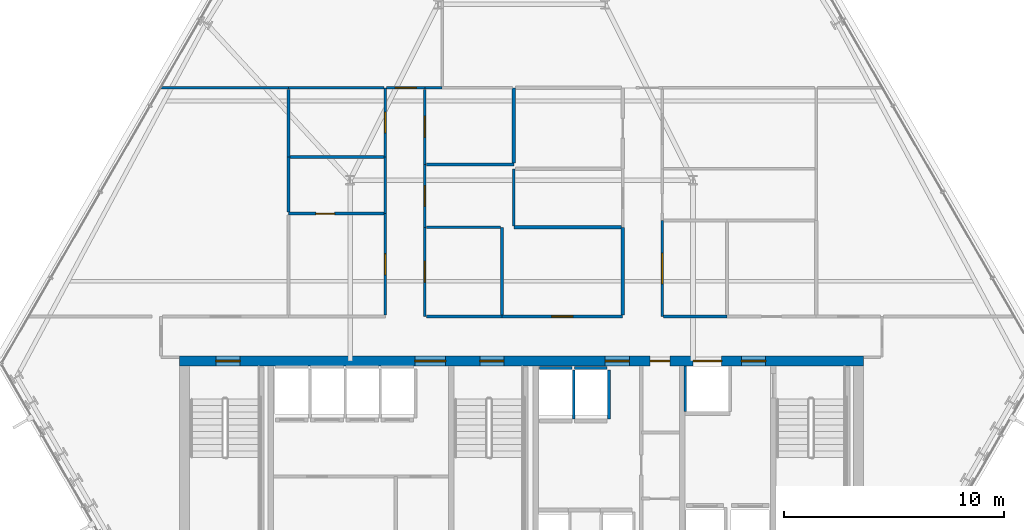
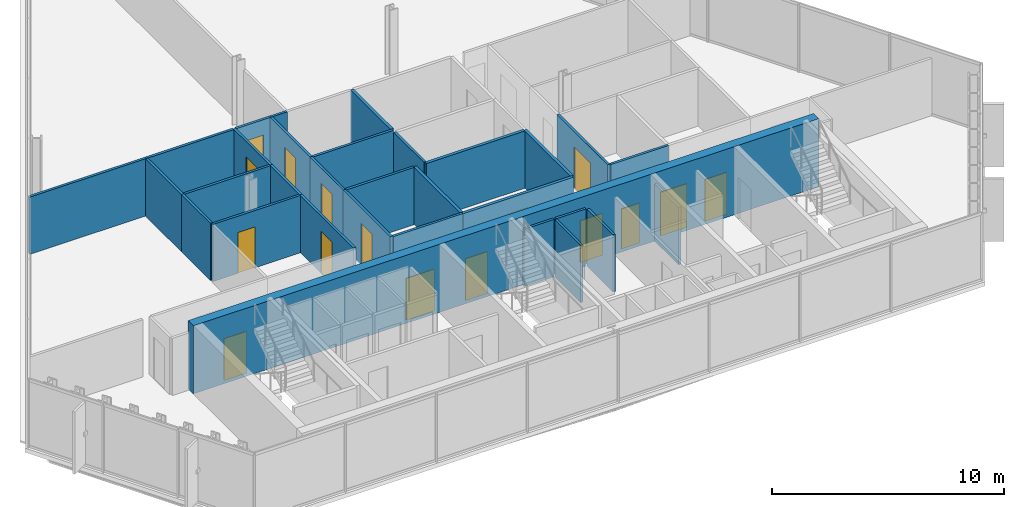
# One storey, part 27 of 33: 31 walls, 16 doors, 16 openings.
"""IFC4 building model written with IfcOpenShell, lengths in metres."""

from ifc_helpers import new_model, si_unit, direction, frame, frame_2d, origin, place, context, subcontext, project, spatial, rectangle, extrude, material, layer, layer_set, type_object, element, fill, save


model = new_model("IFC4")

# Units and contexts
model_context = context("Model", 3, precision=1e-05, world=origin(), true_north=direction((0.0, 1.0)))
body_context = subcontext(model_context, "Body", "Model", "MODEL_VIEW")
ifc_project = project(units=[si_unit("LENGTHUNIT", "METRE"), si_unit("AREAUNIT", "SQUARE_METRE"), si_unit("VOLUMEUNIT", "CUBIC_METRE"), si_unit("PLANEANGLEUNIT", "RADIAN"), si_unit("MASSUNIT", "GRAM", prefix="KILO")], contexts=[model_context])

# Site, building, storey
site_placement = place(None, origin())
site = spatial("IfcSite", under=ifc_project, at=site_placement, CompositionType="ELEMENT")
building_placement = place(site_placement, origin())
building = spatial("IfcBuilding", under=site, at=building_placement, Name="Ndaravel Arena Tower", CompositionType="ELEMENT")
storey_placement = place(building_placement, frame((0.0, 0.0, 149.800048828125)))
storey = spatial("IfcBuildingStorey", under=building, at=storey_placement, Name="L35", CompositionType="ELEMENT", Elevation=149.800048828125)

# Wall, openings, doors
ifc_material_1 = material(Name="Concrete C60/75", Category="concrete")
ifc_layer_1 = layer(ifc_material_1, 0.449951171875)
ifc_layer_set_1 = layer_set([ifc_layer_1], Name="Concrete C60/75")
wall_type_1 = type_object("IfcWallType", Name="WALL-CORE-450", PredefinedType="SOLIDWALL", material=ifc_layer_set_1)
wall_1_placement = place(storey_placement, frame((26.449951171875, 14.97509765625, 0.0), z_axis=(0.0, 0.0, 1.0), x_axis=(1.0, 0.0, 0.0)))
wall_1 = element("IfcWall", 1, at=wall_1_placement, inside=storey, type_object=wall_type_1, Name="L35 Core North Shear Wall", PredefinedType="SOLIDWALL", context=body_context, shape_type="SweptSolid", body=[
    extrude(rectangle(XDim=31.10009765625, YDim=0.449951171875, at=frame_2d((15.550048828125, 0.0))), origin(), (0.0, 0.0, 1.0), 3.579833984375),
])
opening_1_placement = place(wall_1_placement, frame((1.64990234375, 0.0, 0.0)))
opening_1 = element("IfcOpeningElement", 2, at=opening_1_placement, cuts=wall_1, Name="Opening FD-01", PredefinedType="OPENING", context=body_context, shape_type="SweptSolid", body=[
    extrude(rectangle(XDim=1.10009765625, YDim=2.199951171875, at=frame_2d((0.550048828125, 1.10009765625))), frame((0.0, 0.22509765625, 0.0), z_axis=(0.0, -1.0, 0.0), x_axis=(1.0, 0.0, 0.0)), (0.0, 0.0, 1.0), 0.449951171875),
])
opening_2_placement = place(wall_1_placement, frame((13.64990234375, 0.0, 0.0)))
opening_2 = element("IfcOpeningElement", 3, at=opening_2_placement, cuts=wall_1, Name="Opening FD-01", PredefinedType="OPENING", context=body_context, shape_type="SweptSolid", body=[
    extrude(rectangle(XDim=1.10009765625, YDim=2.199951171875, at=frame_2d((0.550048828125, 1.10009765625))), frame((0.0, 0.22509765625, 0.0), z_axis=(0.0, -1.0, 0.0), x_axis=(1.0, 0.0, 0.0)), (0.0, 0.0, 1.0), 0.449951171875),
])
opening_3_placement = place(wall_1_placement, frame((25.550048828125, 0.0, 0.0)))
opening_3 = element("IfcOpeningElement", 4, at=opening_3_placement, cuts=wall_1, Name="Opening FD-01", PredefinedType="OPENING", context=body_context, shape_type="SweptSolid", body=[
    extrude(rectangle(XDim=1.10009765625, YDim=2.199951171875, at=frame_2d((0.550048828125, 1.10009765625))), frame((0.0, 0.22509765625, 0.0), z_axis=(0.0, -1.0, 0.0), x_axis=(1.0, 0.0, 0.0)), (0.0, 0.0, 1.0), 0.449951171875),
])
opening_4_placement = place(wall_1_placement, frame((10.699951171875, 0.0, 0.0)))
opening_4 = element("IfcOpeningElement", 5, at=opening_4_placement, cuts=wall_1, Name="Opening ID-02", PredefinedType="OPENING", context=body_context, shape_type="SweptSolid", body=[
    extrude(rectangle(XDim=1.39990234375, YDim=2.199951171875, at=frame_2d((0.699951171875, 1.10009765625))), frame((0.0, 0.22509765625, 0.0), z_axis=(0.0, -1.0, 0.0), x_axis=(1.0, 0.0, 0.0)), (0.0, 0.0, 1.0), 0.449951171875),
])
opening_5_placement = place(wall_1_placement, frame((19.35009765625, 0.0, 0.0)))
opening_5 = element("IfcOpeningElement", 6, at=opening_5_placement, cuts=wall_1, Name="Opening FD-01", PredefinedType="OPENING", context=body_context, shape_type="SweptSolid", body=[
    extrude(rectangle(XDim=1.10009765625, YDim=2.199951171875, at=frame_2d((0.550048828125, 1.10009765625))), frame((0.0, 0.22509765625, 0.0), z_axis=(0.0, -1.0, 0.0), x_axis=(1.0, 0.0, 0.0)), (0.0, 0.0, 1.0), 0.449951171875),
])
opening_6_placement = place(wall_1_placement, frame((21.39990234375, 0.0, 0.0)))
opening_6 = element("IfcOpeningElement", 7, at=opening_6_placement, cuts=wall_1, Name="Opening RD-01", PredefinedType="OPENING", context=body_context, shape_type="SweptSolid", body=[
    extrude(rectangle(XDim=0.89990234375, YDim=2.10009765625, at=frame_2d((0.449951171875, 1.050048828125))), frame((0.0, 0.22509765625, 0.0), z_axis=(0.0, -1.0, 0.0), x_axis=(1.0, 0.0, 0.0)), (0.0, 0.0, 1.0), 0.449951171875),
])
opening_7_placement = place(wall_1_placement, frame((23.35009765625, 0.0, 0.0)))
opening_7 = element("IfcOpeningElement", 8, at=opening_7_placement, cuts=wall_1, Name="Opening LD-02", PredefinedType="OPENING", context=body_context, shape_type="SweptSolid", body=[
    extrude(rectangle(XDim=1.300048828125, YDim=2.300048828125, at=frame_2d((0.64990234375, 1.14990234375))), frame((0.0, 0.22509765625, 0.0), z_axis=(0.0, -1.0, 0.0), x_axis=(1.0, 0.0, 0.0)), (0.0, 0.0, 1.0), 0.449951171875),
])
ifc_material_2 = material(Name="Steel S355", Category="steel")
door_type_1 = type_object("IfcDoorType", Name="DT-01-STAIR-1100", OperationType="SINGLE_SWING_LEFT", PredefinedType="DOOR", material=ifc_material_2)
door_1_placement = place(opening_1_placement, origin())
door_1 = element("IfcDoor", 9, at=door_1_placement, inside=storey, type_object=door_type_1, Name="L35 Exit Stair ST-1 Door", OperationType="SINGLE_SWING_RIGHT", OverallHeight=2.199951171875, OverallWidth=1.10009765625, PredefinedType="DOOR", context=body_context, shape_type="SweptSolid", body=[
    extrude(rectangle(XDim=1.10009765625, YDim=2.199951171875, at=frame_2d((0.550048828125, 1.10009765625))), frame((0.0, 0.02490234375, 0.0), z_axis=(0.0, -1.0, 0.0), x_axis=(1.0, 0.0, 0.0)), (0.0, 0.0, 1.0), 0.050048828125),
])
fill(opening_1, door_1)
door_2_placement = place(opening_2_placement, origin())
door_2 = element("IfcDoor", 10, at=door_2_placement, inside=storey, type_object=door_type_1, Name="L35 Exit Stair ST-2 Door", OperationType="SINGLE_SWING_LEFT", OverallHeight=2.199951171875, OverallWidth=1.10009765625, PredefinedType="DOOR", context=body_context, shape_type="SweptSolid", body=[
    extrude(rectangle(XDim=1.10009765625, YDim=2.199951171875, at=frame_2d((0.550048828125, 1.10009765625))), frame((0.0, 0.02490234375, 0.0), z_axis=(0.0, -1.0, 0.0), x_axis=(1.0, 0.0, 0.0)), (0.0, 0.0, 1.0), 0.050048828125),
])
fill(opening_2, door_2)
door_3_placement = place(opening_3_placement, origin())
door_3 = element("IfcDoor", 11, at=door_3_placement, inside=storey, type_object=door_type_1, Name="L35 Firefighting Lift Lobby Door", OperationType="SINGLE_SWING_RIGHT", OverallHeight=2.199951171875, OverallWidth=1.10009765625, PredefinedType="DOOR", context=body_context, shape_type="SweptSolid", body=[
    extrude(rectangle(XDim=1.10009765625, YDim=2.199951171875, at=frame_2d((0.550048828125, 1.10009765625))), frame((0.0, 0.02490234375, 0.0), z_axis=(0.0, -1.0, 0.0), x_axis=(1.0, 0.0, 0.0)), (0.0, 0.0, 1.0), 0.050048828125),
])
fill(opening_3, door_3)
door_4_placement = place(opening_5_placement, origin())
door_4 = element("IfcDoor", 12, at=door_4_placement, inside=storey, type_object=door_type_1, Name="L35 Express Lift Lobby Entry Door", OperationType="SINGLE_SWING_LEFT", OverallHeight=2.199951171875, OverallWidth=1.10009765625, PredefinedType="DOOR", context=body_context, shape_type="SweptSolid", body=[
    extrude(rectangle(XDim=1.10009765625, YDim=2.199951171875, at=frame_2d((0.550048828125, 1.10009765625))), frame((0.0, 0.02490234375, 0.0), z_axis=(0.0, -1.0, 0.0), x_axis=(1.0, 0.0, 0.0)), (0.0, 0.0, 1.0), 0.050048828125),
])
fill(opening_5, door_4)
ifc_material_3 = material(Name="Timber", Category="wood")
door_type_2 = type_object("IfcDoorType", Name="DT-04-SUITE-1400", OperationType="DOUBLE_DOOR_SINGLE_SWING", PredefinedType="DOOR", material=ifc_material_3)
door_5_placement = place(opening_4_placement, origin())
door_5 = element("IfcDoor", 13, at=door_5_placement, inside=storey, type_object=door_type_2, Name="L35 West Lift Lobby Entry Door", OperationType="DOUBLE_DOOR_SINGLE_SWING", OverallHeight=2.199951171875, OverallWidth=1.39990234375, PredefinedType="DOOR", context=body_context, shape_type="SweptSolid", body=[
    extrude(rectangle(XDim=1.39990234375, YDim=2.199951171875, at=frame_2d((0.699951171875, 1.10009765625))), frame((0.0, 0.02490234375, 0.0), z_axis=(0.0, -1.0, 0.0), x_axis=(1.0, 0.0, 0.0)), (0.0, 0.0, 1.0), 0.050048828125),
])
fill(opening_4, door_5)
ifc_material_4 = material(Name="Steel S355", Category="steel")
door_type_3 = type_object("IfcDoorType", Name="DT-07-SVLIFT-1300", OperationType="DOUBLE_DOOR_SLIDING", PredefinedType="DOOR", material=ifc_material_4)
door_6_placement = place(opening_7_placement, origin())
door_6 = element("IfcDoor", 14, at=door_6_placement, inside=storey, type_object=door_type_3, Name="L35 Lift SVL-1 Sliding Landing Door", OperationType="DOUBLE_DOOR_SLIDING", OverallHeight=2.300048828125, OverallWidth=1.300048828125, PredefinedType="DOOR", context=body_context, shape_type="SweptSolid", body=[
    extrude(rectangle(XDim=1.300048828125, YDim=2.300048828125, at=frame_2d((0.64990234375, 1.14990234375))), frame((0.0, 0.02490234375, 0.0), z_axis=(0.0, -1.0, 0.0), x_axis=(1.0, 0.0, 0.0)), (0.0, 0.0, 1.0), 0.050048828125),
])
fill(opening_7, door_6)
ifc_material_5 = material(Name="Steel S355", Category="steel")
door_type_4 = type_object("IfcDoorType", Name="DT-08-RISER-900", OperationType="SINGLE_SWING_LEFT", PredefinedType="DOOR", material=ifc_material_5)
door_7_placement = place(opening_6_placement, origin())
door_7 = element("IfcDoor", 15, at=door_7_placement, inside=storey, type_object=door_type_4, Name="L35 Core Service Riser North Door", OperationType="SINGLE_SWING_LEFT", OverallHeight=2.10009765625, OverallWidth=0.89990234375, PredefinedType="DOOR", context=body_context, shape_type="SweptSolid", body=[
    extrude(rectangle(XDim=0.89990234375, YDim=2.10009765625, at=frame_2d((0.449951171875, 1.050048828125))), frame((0.0, 0.02490234375, 0.0), z_axis=(0.0, -1.0, 0.0), x_axis=(1.0, 0.0, 0.0)), (0.0, 0.0, 1.0), 0.050048828125),
])
fill(opening_6, door_7)

# Wall, opening, door
ifc_material_6 = material(Name="Gypsum", Category="gypsum")
ifc_layer_2 = layer(ifc_material_6, 0.125)
ifc_layer_set_2 = layer_set([ifc_layer_2], Name="Gypsum")
wall_type_2 = type_object("IfcWallType", Name="WALL-PART-125", PredefinedType="PARTITIONING", material=ifc_layer_set_2)
wall_2_placement = place(storey_placement, frame((35.800048828125, 17.06494140625, 0.0), z_axis=(0.0, 0.0, 1.0), x_axis=(0.0, 1.0, 0.0)))
wall_2 = element("IfcWall", 16, at=wall_2_placement, inside=storey, type_object=wall_type_2, Name="L35 Interior Partition 007", PredefinedType="PARTITIONING", context=body_context, shape_type="SweptSolid", body=[
    extrude(rectangle(XDim=4.614990234375, YDim=0.125, at=frame_2d((2.3076171875, 0.0))), origin(), (0.0, 0.0, 1.0), 3.010498046875),
])
opening_8_placement = place(wall_2_placement, frame((1.83251953125, 0.0, 0.0)))
opening_8 = element("IfcOpeningElement", 17, at=opening_8_placement, cuts=wall_2, Name="Opening ID-01", PredefinedType="OPENING", context=body_context, shape_type="SweptSolid", body=[
    extrude(rectangle(XDim=0.949951171875, YDim=2.199951171875, at=frame_2d((0.47509765625, 1.10009765625))), frame((0.0, 0.0625, 0.0), z_axis=(0.0, -1.0, 0.0), x_axis=(1.0, 0.0, 0.0)), (0.0, 0.0, 1.0), 0.125),
])
ifc_material_7 = material(Name="Timber", Category="wood")
door_type_5 = type_object("IfcDoorType", Name="DT-03-OFFICE-950", OperationType="SINGLE_SWING_LEFT", PredefinedType="DOOR", material=ifc_material_7)
door_8_placement = place(opening_8_placement, origin())
door_8 = element("IfcDoor", 18, at=door_8_placement, inside=storey, type_object=door_type_5, Name="L35 Project Seminar Room 3 Door", OperationType="SINGLE_SWING_RIGHT", OverallHeight=2.199951171875, OverallWidth=0.949951171875, PredefinedType="DOOR", context=body_context, shape_type="SweptSolid", body=[
    extrude(rectangle(XDim=0.949951171875, YDim=2.199951171875, at=frame_2d((0.47509765625, 1.10009765625))), frame((0.0, 0.02490234375, 0.0), z_axis=(0.0, -1.0, 0.0), x_axis=(1.0, 0.0, 0.0)), (0.0, 0.0, 1.0), 0.050048828125),
])
fill(opening_8, door_8)

# Wall
wall_3_placement = place(storey_placement, frame((35.800048828125, 21.679931640625, 0.0), z_axis=(0.0, 0.0, 1.0), x_axis=(0.0, 1.0, 0.0)))
element("IfcWall", 19, at=wall_3_placement, inside=storey, type_object=wall_type_2, Name="L35 Interior Partition 008", PredefinedType="PARTITIONING", context=body_context, shape_type="SweptSolid", body=[
    extrude(rectangle(XDim=2.573974609375, YDim=0.125, at=frame_2d((1.287109375, 0.0))), origin(), (0.0, 0.0, 1.0), 3.010498046875),
])

# Wall, opening, door
wall_4_placement = place(storey_placement, frame((35.800048828125, 24.25390625, 0.0), z_axis=(0.0, 0.0, 1.0), x_axis=(0.0, 1.0, 0.0)))
wall_4 = element("IfcWall", 20, at=wall_4_placement, inside=storey, type_object=wall_type_2, Name="L35 Interior Partition 009", PredefinedType="PARTITIONING", context=body_context, shape_type="SweptSolid", body=[
    extrude(rectangle(XDim=3.14599609375, YDim=0.125, at=frame_2d((1.572998046875, 0.0))), origin(), (0.0, 0.0, 1.0), 3.010498046875),
])
opening_9_placement = place(wall_4_placement, frame((1.097900390625, 0.0, 0.0)))
opening_9 = element("IfcOpeningElement", 21, at=opening_9_placement, cuts=wall_4, Name="Opening ID-01", PredefinedType="OPENING", context=body_context, shape_type="SweptSolid", body=[
    extrude(rectangle(XDim=0.949951171875, YDim=2.199951171875, at=frame_2d((0.47509765625, 1.10009765625))), frame((0.0, 0.0625, 0.0), z_axis=(0.0, -1.0, 0.0), x_axis=(1.0, 0.0, 0.0)), (0.0, 0.0, 1.0), 0.125),
])
door_9_placement = place(opening_9_placement, origin())
door_9 = element("IfcDoor", 22, at=door_9_placement, inside=storey, type_object=door_type_5, Name="L35 Project Seminar Room 7 Door", OperationType="SINGLE_SWING_RIGHT", OverallHeight=2.199951171875, OverallWidth=0.949951171875, PredefinedType="DOOR", context=body_context, shape_type="SweptSolid", body=[
    extrude(rectangle(XDim=0.949951171875, YDim=2.199951171875, at=frame_2d((0.47509765625, 1.10009765625))), frame((0.0, 0.02490234375, 0.0), z_axis=(0.0, -1.0, 0.0), x_axis=(1.0, 0.0, 0.0)), (0.0, 0.0, 1.0), 0.050048828125),
])
fill(opening_9, door_9)

wall_5_placement = place(storey_placement, frame((35.864990234375, 27.39990234375, 0.0), z_axis=(0.0, 0.0, 1.0), x_axis=(1.0, 0.0, 0.0)))
wall_5 = element("IfcWall", 23, at=wall_5_placement, inside=storey, type_object=wall_type_2, Name="L35 Interior Partition 010", PredefinedType="PARTITIONING", context=body_context, shape_type="SweptSolid", body=[
    extrude(rectangle(XDim=1.735107421875, YDim=0.125, at=frame_2d((0.86767578125, 0.0))), origin(), (0.0, 0.0, 1.0), 3.010498046875),
])
opening_10_placement = place(wall_5_placement, frame((0.392578125, 0.0, 0.0)))
opening_10 = element("IfcOpeningElement", 24, at=opening_10_placement, cuts=wall_5, Name="Opening ID-01", PredefinedType="OPENING", context=body_context, shape_type="SweptSolid", body=[
    extrude(rectangle(XDim=0.949951171875, YDim=2.199951171875, at=frame_2d((0.47509765625, 1.10009765625))), frame((0.0, 0.0625, 0.0), z_axis=(0.0, -1.0, 0.0), x_axis=(1.0, 0.0, 0.0)), (0.0, 0.0, 1.0), 0.125),
])
door_10_placement = place(opening_10_placement, origin())
door_10 = element("IfcDoor", 25, at=door_10_placement, inside=storey, type_object=door_type_5, Name="L35 Tenant Reception Suite 7 Door", OperationType="SINGLE_SWING_LEFT", OverallHeight=2.199951171875, OverallWidth=0.949951171875, PredefinedType="DOOR", context=body_context, shape_type="SweptSolid", body=[
    extrude(rectangle(XDim=0.949951171875, YDim=2.199951171875, at=frame_2d((0.47509765625, 1.10009765625))), frame((0.0, 0.02490234375, 0.0), z_axis=(0.0, -1.0, 0.0), x_axis=(1.0, 0.0, 0.0)), (0.0, 0.0, 1.0), 0.050048828125),
])
fill(opening_10, door_10)

wall_6_placement = place(storey_placement, frame((37.60009765625, 27.3349609375, 0.0), z_axis=(0.0, 0.0, 1.0), x_axis=(0.0, -1.0, 0.0)))
wall_6 = element("IfcWall", 26, at=wall_6_placement, inside=storey, type_object=wall_type_2, Name="L35 Interior Partition 011", PredefinedType="PARTITIONING", context=body_context, shape_type="SweptSolid", body=[
    extrude(rectangle(XDim=3.424072265625, YDim=0.125, at=frame_2d((1.7119140625, 0.0))), origin(), (0.0, 0.0, 1.0), 3.010498046875),
])
opening_11_placement = place(wall_6_placement, frame((1.237060546875, 0.0, 0.0)))
opening_11 = element("IfcOpeningElement", 27, at=opening_11_placement, cuts=wall_6, Name="Opening ID-01", PredefinedType="OPENING", context=body_context, shape_type="SweptSolid", body=[
    extrude(rectangle(XDim=0.949951171875, YDim=2.199951171875, at=frame_2d((0.47509765625, 1.10009765625))), frame((0.0, 0.0625, 0.0), z_axis=(0.0, -1.0, 0.0), x_axis=(1.0, 0.0, 0.0)), (0.0, 0.0, 1.0), 0.125),
])
door_11_placement = place(opening_11_placement, origin())
door_11 = element("IfcDoor", 28, at=door_11_placement, inside=storey, type_object=door_type_5, Name="L35 Concierge Arrival Salon 6 Door", OperationType="SINGLE_SWING_LEFT", OverallHeight=2.199951171875, OverallWidth=0.949951171875, PredefinedType="DOOR", context=body_context, shape_type="SweptSolid", body=[
    extrude(rectangle(XDim=0.949951171875, YDim=2.199951171875, at=frame_2d((0.47509765625, 1.10009765625))), frame((0.0, 0.02490234375, 0.0), z_axis=(0.0, -1.0, 0.0), x_axis=(1.0, 0.0, 0.0)), (0.0, 0.0, 1.0), 0.050048828125),
])
fill(opening_11, door_11)

wall_7_placement = place(storey_placement, frame((37.60009765625, 23.910888671875, 0.0), z_axis=(0.0, 0.0, 1.0), x_axis=(0.0, -1.0, 0.0)))
wall_7 = element("IfcWall", 29, at=wall_7_placement, inside=storey, type_object=wall_type_2, Name="L35 Interior Partition 012", PredefinedType="PARTITIONING", context=body_context, shape_type="SweptSolid", body=[
    extrude(rectangle(XDim=2.85498046875, YDim=0.125, at=frame_2d((1.427490234375, 0.0))), origin(), (0.0, 0.0, 1.0), 3.010498046875),
])
opening_12_placement = place(wall_7_placement, frame((0.952392578125, 0.0, 0.0)))
opening_12 = element("IfcOpeningElement", 30, at=opening_12_placement, cuts=wall_7, Name="Opening ID-01", PredefinedType="OPENING", context=body_context, shape_type="SweptSolid", body=[
    extrude(rectangle(XDim=0.949951171875, YDim=2.199951171875, at=frame_2d((0.47509765625, 1.10009765625))), frame((0.0, 0.0625, 0.0), z_axis=(0.0, -1.0, 0.0), x_axis=(1.0, 0.0, 0.0)), (0.0, 0.0, 1.0), 0.125),
])
door_12_placement = place(opening_12_placement, origin())
door_12 = element("IfcDoor", 31, at=door_12_placement, inside=storey, type_object=door_type_5, Name="L35 Client Concierge Parlour 4 Door", OperationType="SINGLE_SWING_RIGHT", OverallHeight=2.199951171875, OverallWidth=0.949951171875, PredefinedType="DOOR", context=body_context, shape_type="SweptSolid", body=[
    extrude(rectangle(XDim=0.949951171875, YDim=2.199951171875, at=frame_2d((0.47509765625, 1.10009765625))), frame((0.0, 0.02490234375, 0.0), z_axis=(0.0, -1.0, 0.0), x_axis=(1.0, 0.0, 0.0)), (0.0, 0.0, 1.0), 0.050048828125),
])
fill(opening_12, door_12)

wall_8_placement = place(storey_placement, frame((37.60009765625, 21.055908203125, 0.0), z_axis=(0.0, 0.0, 1.0), x_axis=(0.0, -1.0, 0.0)))
wall_8 = element("IfcWall", 32, at=wall_8_placement, inside=storey, type_object=wall_type_2, Name="L35 Interior Partition 013", PredefinedType="PARTITIONING", context=body_context, shape_type="SweptSolid", body=[
    extrude(rectangle(XDim=4.055908203125, YDim=0.125, at=frame_2d((2.02783203125, 0.0))), origin(), (0.0, 0.0, 1.0), 3.010498046875),
])
opening_13_placement = place(wall_8_placement, frame((1.552978515625, 0.0, 0.0)))
opening_13 = element("IfcOpeningElement", 33, at=opening_13_placement, cuts=wall_8, Name="Opening ID-01", PredefinedType="OPENING", context=body_context, shape_type="SweptSolid", body=[
    extrude(rectangle(XDim=0.949951171875, YDim=2.199951171875, at=frame_2d((0.47509765625, 1.10009765625))), frame((0.0, 0.0625, 0.0), z_axis=(0.0, -1.0, 0.0), x_axis=(1.0, 0.0, 0.0)), (0.0, 0.0, 1.0), 0.125),
])
door_13_placement = place(opening_13_placement, origin())
door_13 = element("IfcDoor", 34, at=door_13_placement, inside=storey, type_object=door_type_5, Name="L35 Floor Security Control Room Door", OperationType="SINGLE_SWING_RIGHT", OverallHeight=2.199951171875, OverallWidth=0.949951171875, PredefinedType="DOOR", context=body_context, shape_type="SweptSolid", body=[
    extrude(rectangle(XDim=0.949951171875, YDim=2.199951171875, at=frame_2d((0.47509765625, 1.10009765625))), frame((0.0, 0.02490234375, 0.0), z_axis=(0.0, -1.0, 0.0), x_axis=(1.0, 0.0, 0.0)), (0.0, 0.0, 1.0), 0.050048828125),
])
fill(opening_13, door_13)

# Wall
wall_9_placement = place(storey_placement, frame((37.6650390625, 17.0, 0.0), z_axis=(0.0, 0.0, 1.0), x_axis=(1.0, 0.0, 0.0)))
element("IfcWall", 35, at=wall_9_placement, inside=storey, type_object=wall_type_2, Name="L35 Interior Partition 014", PredefinedType="PARTITIONING", context=body_context, shape_type="SweptSolid", body=[
    extrude(rectangle(XDim=3.445068359375, YDim=0.125, at=frame_2d((1.72265625, 0.0))), origin(), (0.0, 0.0, 1.0), 3.010498046875),
])

# Wall, opening, door
wall_10_placement = place(storey_placement, frame((48.39990234375, 21.367919921875, 0.0), z_axis=(0.0, 0.0, 1.0), x_axis=(0.0, -1.0, 0.0)))
wall_10 = element("IfcWall", 36, at=wall_10_placement, inside=storey, type_object=wall_type_2, Name="L35 Interior Partition 022", PredefinedType="PARTITIONING", context=body_context, shape_type="SweptSolid", body=[
    extrude(rectangle(XDim=4.367919921875, YDim=0.125, at=frame_2d((2.18408203125, 0.0))), origin(), (0.0, 0.0, 1.0), 3.010498046875),
])
opening_14_placement = place(wall_10_placement, frame((1.48388671875, 0.0, 0.0)))
opening_14 = element("IfcOpeningElement", 37, at=opening_14_placement, cuts=wall_10, Name="Opening ID-02", PredefinedType="OPENING", context=body_context, shape_type="SweptSolid", body=[
    extrude(rectangle(XDim=1.39990234375, YDim=2.199951171875, at=frame_2d((0.699951171875, 1.10009765625))), frame((0.0, 0.0625, 0.0), z_axis=(0.0, -1.0, 0.0), x_axis=(1.0, 0.0, 0.0)), (0.0, 0.0, 1.0), 0.125),
])
door_14_placement = place(opening_14_placement, origin())
door_14 = element("IfcDoor", 38, at=door_14_placement, inside=storey, type_object=door_type_2, Name="L35 Client Conference Room 2 Door", OperationType="SINGLE_SWING_RIGHT", OverallHeight=2.199951171875, OverallWidth=1.39990234375, PredefinedType="DOOR", context=body_context, shape_type="SweptSolid", body=[
    extrude(rectangle(XDim=1.39990234375, YDim=2.199951171875, at=frame_2d((0.699951171875, 1.10009765625))), frame((0.0, 0.02490234375, 0.0), z_axis=(0.0, -1.0, 0.0), x_axis=(1.0, 0.0, 0.0)), (0.0, 0.0, 1.0), 0.050048828125),
])
fill(opening_14, door_14)

# Walls
wall_11_placement = place(storey_placement, frame((48.465087890625, 17.0, 0.0), z_axis=(0.0, 0.0, 1.0), x_axis=(1.0, 0.0, 0.0)))
element("IfcWall", 39, at=wall_11_placement, inside=storey, type_object=wall_type_2, Name="L35 Interior Partition 023", PredefinedType="PARTITIONING", context=body_context, shape_type="SweptSolid", body=[
    extrude(rectangle(XDim=2.875, YDim=0.125, at=frame_2d((1.4375, 0.0))), origin(), (0.0, 0.0, 1.0), 3.010498046875),
])
wall_12_placement = place(storey_placement, frame((37.6650390625, 21.055908203125, 0.0), z_axis=(0.0, 0.0, 1.0), x_axis=(1.0, 0.0, 0.0)))
element("IfcWall", 40, at=wall_12_placement, inside=storey, type_object=wall_type_2, Name="L35 Interior Partition 029", PredefinedType="PARTITIONING", context=body_context, shape_type="SweptSolid", body=[
    extrude(rectangle(XDim=3.3798828125, YDim=0.125, at=frame_2d((1.68994140625, 0.0))), origin(), (0.0, 0.0, 1.0), 3.010498046875),
])
wall_13_placement = place(storey_placement, frame((25.58056640625, 27.39990234375, 0.0), z_axis=(0.0, 0.0, 1.0), x_axis=(1.0, 0.0, 0.0)))
element("IfcWall", 41, at=wall_13_placement, inside=storey, type_object=wall_type_2, Name="L35 Interior Partition 040", PredefinedType="PARTITIONING", context=body_context, shape_type="SweptSolid", body=[
    extrude(rectangle(XDim=5.8193359375, YDim=0.125, at=frame_2d((2.90966796875, 0.0))), origin(), (0.0, 0.0, 1.0), 3.010498046875),
])
wall_14_placement = place(storey_placement, frame((31.39990234375, 27.3349609375, 0.0), z_axis=(0.0, 0.0, 1.0), x_axis=(0.0, -1.0, 0.0)))
element("IfcWall", 42, at=wall_14_placement, inside=storey, type_object=wall_type_2, Name="L35 Interior Partition 041", PredefinedType="PARTITIONING", context=body_context, shape_type="SweptSolid", body=[
    extrude(rectangle(XDim=3.0810546875, YDim=0.125, at=frame_2d((1.54052734375, 0.0))), origin(), (0.0, 0.0, 1.0), 3.010498046875),
])
wall_15_placement = place(storey_placement, frame((31.39990234375, 24.25390625, 0.0), z_axis=(0.0, 0.0, 1.0), x_axis=(0.0, -1.0, 0.0)))
element("IfcWall", 43, at=wall_15_placement, inside=storey, type_object=wall_type_2, Name="L35 Interior Partition 042", PredefinedType="PARTITIONING", context=body_context, shape_type="SweptSolid", body=[
    extrude(rectangle(XDim=2.5087890625, YDim=0.125, at=frame_2d((1.25439453125, 0.0))), origin(), (0.0, 0.0, 1.0), 3.010498046875),
])
wall_16_placement = place(storey_placement, frame((41.64990234375, 21.12109375, 0.0), z_axis=(0.0, 0.0, 1.0), x_axis=(0.0, 1.0, 0.0)))
element("IfcWall", 44, at=wall_16_placement, inside=storey, type_object=wall_type_2, Name="L35 Interior Partition 043", PredefinedType="PARTITIONING", context=body_context, shape_type="SweptSolid", body=[
    extrude(rectangle(XDim=2.599365234375, YDim=0.125, at=frame_2d((1.2998046875, 0.0))), origin(), (0.0, 0.0, 1.0), 3.010498046875),
])
wall_17_placement = place(storey_placement, frame((37.6650390625, 23.910888671875, 0.0), z_axis=(0.0, 0.0, 1.0), x_axis=(1.0, 0.0, 0.0)))
element("IfcWall", 45, at=wall_17_placement, inside=storey, type_object=wall_type_2, Name="L35 Interior Partition 045", PredefinedType="PARTITIONING", context=body_context, shape_type="SweptSolid", body=[
    extrude(rectangle(XDim=3.98486328125, YDim=0.125, at=frame_2d((1.992431640625, 0.0))), origin(), (0.0, 0.0, 1.0), 3.010498046875),
])
wall_18_placement = place(storey_placement, frame((31.465087890625, 24.25390625, 0.0), z_axis=(0.0, 0.0, 1.0), x_axis=(1.0, 0.0, 0.0)))
element("IfcWall", 46, at=wall_18_placement, inside=storey, type_object=wall_type_2, Name="L35 Interior Partition 047", PredefinedType="PARTITIONING", context=body_context, shape_type="SweptSolid", body=[
    extrude(rectangle(XDim=4.27001953125, YDim=0.125, at=frame_2d((2.135009765625, 0.0))), origin(), (0.0, 0.0, 1.0), 3.010498046875),
])
wall_19_placement = place(storey_placement, frame((37.60009765625, 27.39990234375, 0.0), z_axis=(0.0, 0.0, 1.0), x_axis=(1.0, 0.0, 0.0)))
element("IfcWall", 47, at=wall_19_placement, inside=storey, type_object=wall_type_2, Name="L35 Interior Partition 051", PredefinedType="PARTITIONING", context=body_context, shape_type="SweptSolid", body=[
    extrude(rectangle(XDim=0.78759765625, YDim=0.125, at=frame_2d((0.393798828125, 0.0))), origin(), (0.0, 0.0, 1.0), 3.010498046875),
])
wall_20_placement = place(storey_placement, frame((31.39990234375, 27.39990234375, 0.0), z_axis=(0.0, 0.0, 1.0), x_axis=(1.0, 0.0, 0.0)))
element("IfcWall", 48, at=wall_20_placement, inside=storey, type_object=wall_type_2, Name="L35 Interior Partition 053", PredefinedType="PARTITIONING", context=body_context, shape_type="SweptSolid", body=[
    extrude(rectangle(XDim=4.335205078125, YDim=0.125, at=frame_2d((2.16748046875, 0.0))), origin(), (0.0, 0.0, 1.0), 3.010498046875),
])
ifc_material_8 = material(Name="Concrete C40/50", Category="concrete")
ifc_layer_3 = layer(ifc_material_8, 0.1201171875)
ifc_layer_set_3 = layer_set([ifc_layer_3], Name="Concrete C40/50")
wall_type_3 = type_object("IfcWallType", Name="WALL-SHAFT-120", PredefinedType="SOLIDWALL", material=ifc_layer_set_3)
wall_21_placement = place(storey_placement, frame((42.804931640625, 14.659912109375, 0.0), z_axis=(0.0, 0.0, 1.0), x_axis=(1.0, 0.0, 0.0)))
element("IfcWall", 49, at=wall_21_placement, inside=storey, type_object=wall_type_3, Name="L35 PL-OBS1 Shaft Rear Wall", PredefinedType="SOLIDWALL", context=body_context, shape_type="SweptSolid", body=[
    extrude(rectangle(XDim=1.489990234375, YDim=0.1201171875, at=frame_2d((0.7451171875, 0.0))), origin(), (0.0, 0.0, 1.0), 3.010498046875),
])
wall_22_placement = place(storey_placement, frame((44.375, 12.340087890625, 0.0), z_axis=(0.0, 0.0, 1.0), x_axis=(0.0, 1.0, 0.0)))
element("IfcWall", 50, at=wall_22_placement, inside=storey, type_object=wall_type_3, Name="L35 PL-OBS1 Shaft Side R Wall", PredefinedType="SOLIDWALL", context=body_context, shape_type="SweptSolid", body=[
    extrude(rectangle(XDim=2.22998046875, YDim=0.1201171875, at=frame_2d((1.114990234375, 0.0))), origin(), (0.0, 0.0, 1.0), 3.010498046875),
])
wall_23_placement = place(storey_placement, frame((44.405029296875, 14.659912109375, 0.0), z_axis=(0.0, 0.0, 1.0), x_axis=(1.0, 0.0, 0.0)))
element("IfcWall", 51, at=wall_23_placement, inside=storey, type_object=wall_type_3, Name="L35 PL-OBS2 Shaft Rear Wall", PredefinedType="SOLIDWALL", context=body_context, shape_type="SweptSolid", body=[
    extrude(rectangle(XDim=1.489990234375, YDim=0.1201171875, at=frame_2d((0.7451171875, 0.0))), origin(), (0.0, 0.0, 1.0), 3.010498046875),
])
wall_24_placement = place(storey_placement, frame((45.97509765625, 12.340087890625, 0.0), z_axis=(0.0, 0.0, 1.0), x_axis=(0.0, 1.0, 0.0)))
element("IfcWall", 52, at=wall_24_placement, inside=storey, type_object=wall_type_3, Name="L35 PL-OBS2 Shaft Side R Wall", PredefinedType="SOLIDWALL", context=body_context, shape_type="SweptSolid", body=[
    extrude(rectangle(XDim=2.22998046875, YDim=0.1201171875, at=frame_2d((1.114990234375, 0.0))), origin(), (0.0, 0.0, 1.0), 3.010498046875),
])
wall_25_placement = place(storey_placement, frame((49.43994140625, 12.68994140625, 0.0), z_axis=(0.0, 0.0, 1.0), x_axis=(0.0, 1.0, 0.0)))
element("IfcWall", 53, at=wall_25_placement, inside=storey, type_object=wall_type_3, Name="L35 SVL-1 Shaft W Wall", PredefinedType="SOLIDWALL", context=body_context, shape_type="SweptSolid", body=[
    extrude(rectangle(XDim=2.070068359375, YDim=0.1201171875, at=frame_2d((1.03515625, 0.0))), origin(), (0.0, 0.0, 1.0), 3.010498046875),
])

# Wall, opening, door
ifc_material_9 = material(Name="Masonry", Category="masonry")
ifc_layer_4 = layer(ifc_material_9, 0.14990234375)
ifc_layer_set_4 = layer_set([ifc_layer_4], Name="Masonry")
wall_type_4 = type_object("IfcWallType", Name="WALL-WET-150", PredefinedType="PARTITIONING", material=ifc_layer_set_4)
wall_26_placement = place(storey_placement, frame((41.110107421875, 17.0, 0.0), z_axis=(0.0, 0.0, 1.0), x_axis=(1.0, 0.0, 0.0)))
wall_26 = element("IfcWall", 54, at=wall_26_placement, inside=storey, type_object=wall_type_4, Name="L35 Interior Partition 015", PredefinedType="PARTITIONING", context=body_context, shape_type="SweptSolid", body=[
    extrude(rectangle(XDim=5.489990234375, YDim=0.14990234375, at=frame_2d((2.7451171875, 0.0))), origin(), (0.0, 0.0, 1.0), 3.010498046875),
])
opening_15_placement = place(wall_26_placement, frame((2.27001953125, 0.0, 0.0)))
opening_15 = element("IfcOpeningElement", 55, at=opening_15_placement, cuts=wall_26, Name="Opening FD-03", PredefinedType="OPENING", context=body_context, shape_type="SweptSolid", body=[
    extrude(rectangle(XDim=0.949951171875, YDim=2.199951171875, at=frame_2d((0.47509765625, 1.10009765625))), frame((0.0, 0.074951171875, 0.0), z_axis=(0.0, -1.0, 0.0), x_axis=(1.0, 0.0, 0.0)), (0.0, 0.0, 1.0), 0.14990234375),
])
ifc_material_10 = material(Name="Steel S355", Category="steel")
door_type_6 = type_object("IfcDoorType", Name="DT-11-CORE-950", OperationType="SINGLE_SWING_LEFT", PredefinedType="DOOR", material=ifc_material_10)
door_15_placement = place(opening_15_placement, origin())
door_15 = element("IfcDoor", 56, at=door_15_placement, inside=storey, type_object=door_type_6, Name="L35 Staff Espresso Kitchen Door", OperationType="SINGLE_SWING_LEFT", OverallHeight=2.199951171875, OverallWidth=0.949951171875, PredefinedType="DOOR", context=body_context, shape_type="SweptSolid", body=[
    extrude(rectangle(XDim=0.949951171875, YDim=2.199951171875, at=frame_2d((0.47509765625, 1.10009765625))), frame((0.0, 0.02490234375, 0.0), z_axis=(0.0, -1.0, 0.0), x_axis=(1.0, 0.0, 0.0)), (0.0, 0.0, 1.0), 0.050048828125),
])
fill(opening_15, door_15)

# Walls
for number, where, z_axis, x_axis, name in (
    (57, (46.60009765625, 17.06494140625, 0.0), (0.0, 0.0, 1.0), (0.0, 1.0, 0.0), "L35 Interior Partition 016"),
    (58, (41.110107421875, 21.055908203125, 0.0), (0.0, 0.0, 1.0), (0.0, -1.0, 0.0), "L35 Interior Partition 028"),
):
    element("IfcWall", number, at=place(storey_placement, frame(where, z_axis=z_axis, x_axis=x_axis)), inside=storey, type_object=wall_type_4, Name=name, PredefinedType="PARTITIONING", context=body_context, shape_type="SweptSolid", body=[
        extrude(rectangle(XDim=3.990966796875, YDim=0.14990234375, at=frame_2d((1.99560546875, 0.0))), origin(), (0.0, 0.0, 1.0), 3.010498046875),
    ])
wall_27_placement = place(storey_placement, frame((41.64990234375, 21.055908203125, 0.0), z_axis=(0.0, 0.0, 1.0), x_axis=(1.0, 0.0, 0.0)))
element("IfcWall", 59, at=wall_27_placement, inside=storey, type_object=wall_type_4, Name="L35 Interior Partition 030", PredefinedType="PARTITIONING", context=body_context, shape_type="SweptSolid", body=[
    extrude(rectangle(XDim=4.885009765625, YDim=0.14990234375, at=frame_2d((2.4423828125, 0.0))), origin(), (0.0, 0.0, 1.0), 3.010498046875),
])

# Wall, opening, door
wall_28_placement = place(storey_placement, frame((31.39990234375, 21.679931640625, 0.0), z_axis=(0.0, 0.0, 1.0), x_axis=(1.0, 0.0, 0.0)))
wall_28 = element("IfcWall", 60, at=wall_28_placement, inside=storey, type_object=wall_type_4, Name="L35 Interior Partition 035", PredefinedType="PARTITIONING", context=body_context, shape_type="SweptSolid", body=[
    extrude(rectangle(XDim=4.335205078125, YDim=0.125, at=frame_2d((2.16748046875, 0.0))), origin(), (0.0, 0.0, 1.0), 3.010498046875),
])
opening_16_placement = place(wall_28_placement, frame((1.242431640625, 0.0, 0.0)))
opening_16 = element("IfcOpeningElement", 61, at=opening_16_placement, cuts=wall_28, Name="Opening ID-03", PredefinedType="OPENING", context=body_context, shape_type="SweptSolid", body=[
    extrude(rectangle(XDim=0.85009765625, YDim=2.14990234375, at=frame_2d((0.425048828125, 1.074951171875))), frame((0.0, 0.0625, 0.0), z_axis=(0.0, -1.0, 0.0), x_axis=(1.0, 0.0, 0.0)), (0.0, 0.0, 1.0), 0.125),
])
ifc_material_11 = material(Name="Timber", Category="wood")
door_type_7 = type_object("IfcDoorType", Name="DT-12-SUB-850", OperationType="SINGLE_SWING_LEFT", PredefinedType="DOOR", material=ifc_material_11)
door_16_placement = place(opening_16_placement, origin())
door_16 = element("IfcDoor", 62, at=door_16_placement, inside=storey, type_object=door_type_7, Name="L35 Visitor Reception Desk 5 Door", OperationType="SINGLE_SWING_LEFT", OverallHeight=2.14990234375, OverallWidth=0.85009765625, PredefinedType="DOOR", context=body_context, shape_type="SweptSolid", body=[
    extrude(rectangle(XDim=0.85009765625, YDim=2.14990234375, at=frame_2d((0.425048828125, 1.074951171875))), frame((0.0, 0.02490234375, 0.0), z_axis=(0.0, -1.0, 0.0), x_axis=(1.0, 0.0, 0.0)), (0.0, 0.0, 1.0), 0.050048828125),
])
fill(opening_16, door_16)

# Wall
wall_29_placement = place(storey_placement, frame((41.64990234375, 23.975830078125, 0.0), z_axis=(0.0, 0.0, 1.0), x_axis=(0.0, 1.0, 0.0)))
element("IfcWall", 63, at=wall_29_placement, inside=storey, type_object=wall_type_4, Name="L35 Interior Partition 048", PredefinedType="PARTITIONING", context=body_context, shape_type="SweptSolid", body=[
    extrude(rectangle(XDim=3.424072265625, YDim=0.14990234375, at=frame_2d((1.7119140625, 0.0))), origin(), (0.0, 0.0, 1.0), 3.010498046875),
])

save(model, "model.ifc")
